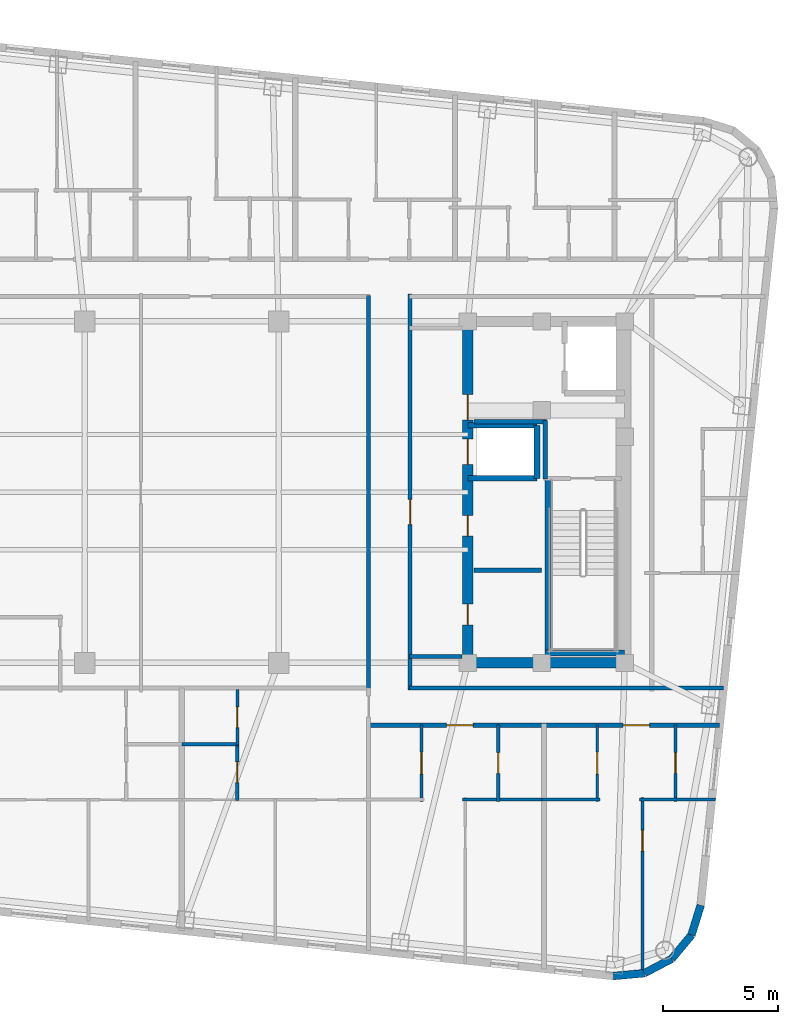
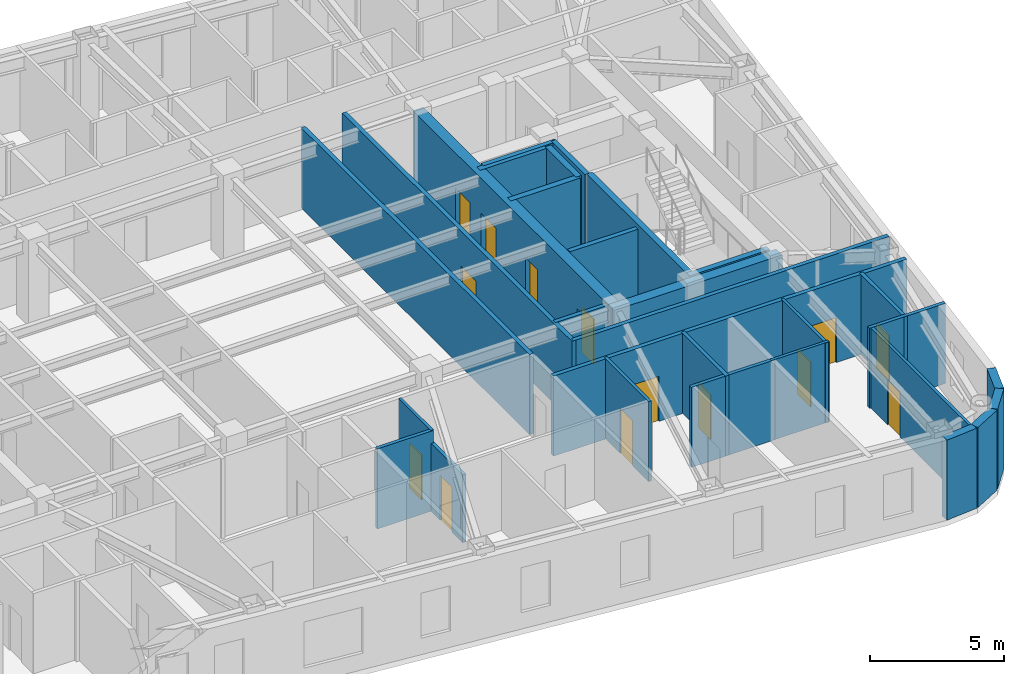
# One storey, part 6 of 11: 30 walls, 14 doors, 14 openings.
"""IFC4 building model written with IfcOpenShell, lengths in metres."""

from ifc_helpers import new_model, si_unit, direction, frame, frame_2d, origin, place, context, subcontext, project, spatial, rectangle, extrude, material, layer, layer_set, type_object, element, fill, save


model = new_model("IFC4")

# Units and contexts
model_context = context("Model", 3, precision=1e-05, world=origin(), true_north=direction((0.0, 1.0)))
body_context = subcontext(model_context, "Body", "Model", "MODEL_VIEW")
ifc_project = project(units=[si_unit("LENGTHUNIT", "METRE"), si_unit("AREAUNIT", "SQUARE_METRE"), si_unit("VOLUMEUNIT", "CUBIC_METRE"), si_unit("PLANEANGLEUNIT", "RADIAN"), si_unit("MASSUNIT", "GRAM", prefix="KILO")], contexts=[model_context])

# Site, building, storey
site_placement = place(None, origin())
site = spatial("IfcSite", under=ifc_project, at=site_placement, CompositionType="ELEMENT")
building_placement = place(site_placement, origin())
building = spatial("IfcBuilding", under=site, at=building_placement, Name="Voryun Gate Residences", CompositionType="ELEMENT")
storey_placement = place(building_placement, frame((0.0, 0.0, 271.699951171875)))
storey = spatial("IfcBuildingStorey", under=building, at=storey_placement, Name="L67", CompositionType="ELEMENT", Elevation=271.699951171875)

# Wall
ifc_material_1 = material(Name="Concrete C50/60", Category="concrete")
ifc_layer_1 = layer(ifc_material_1, 0.449951171875, Name="CW_CORE_450")
ifc_layer_set_1 = layer_set([ifc_layer_1], Name="Concrete C50/60")
wall_type_1 = type_object("IfcWallType", Name="CW_CORE_450", PredefinedType="SHEAR", material=ifc_layer_set_1)
wall_1_placement = place(storey_placement, frame((12.175048828125, -7.39990234375, 0.0), z_axis=(0.0, 0.0, 1.0), x_axis=(1.0, 0.0, 0.0)))
element("IfcWall", 1, at=wall_1_placement, inside=storey, type_object=wall_type_1, Name="L67 Core shear wall CW-L67-ES", PredefinedType="SHEAR", context=body_context, shape_type="SweptSolid", body=[
    extrude(rectangle(XDim=7.25, YDim=0.449951171875, at=frame_2d((3.625, 0.0))), origin(), (0.0, 0.0, 1.0), 3.650146484375),
])

# Wall, openings, doors
wall_2_placement = place(storey_placement, frame((12.39990234375, -7.39990234375, 0.0), z_axis=(0.0, 0.0, 1.0), x_axis=(0.0, 1.0, 0.0)))
wall_2 = element("IfcWall", 2, at=wall_2_placement, inside=storey, type_object=wall_type_1, Name="L67 Core shear wall CW-L67-EW", PredefinedType="SHEAR", context=body_context, shape_type="SweptSolid", body=[
    extrude(rectangle(XDim=14.7998046875, YDim=0.449951171875, at=frame_2d((7.39990234375, 0.0))), origin(), (0.0, 0.0, 1.0), 3.650146484375),
])
opening_1_placement = place(wall_2_placement, frame((8.60009765625, 0.0, 0.0)))
opening_1 = element("IfcOpeningElement", 3, at=opening_1_placement, cuts=wall_2, Name="Opening LD2", PredefinedType="OPENING", context=body_context, shape_type="SweptSolid", body=[
    extrude(rectangle(XDim=1.10009765625, YDim=2.050048828125, at=frame_2d((0.550048828125, 1.02490234375))), frame((0.0, 0.235107421875, 0.0), z_axis=(0.0, -1.0, 0.0), x_axis=(1.0, 0.0, 0.0)), (0.0, 0.0, 1.0), 0.469970703125),
])
opening_2_placement = place(wall_2_placement, frame((10.530029296875, 0.0, 0.0)))
opening_2 = element("IfcOpeningElement", 4, at=opening_2_placement, cuts=wall_2, Name="Opening D-FD60-2", PredefinedType="OPENING", context=body_context, shape_type="SweptSolid", body=[
    extrude(rectangle(XDim=1.10009765625, YDim=2.050048828125, at=frame_2d((0.550048828125, 1.02490234375))), frame((0.0, 0.235107421875, 0.0), z_axis=(0.0, -1.0, 0.0), x_axis=(1.0, 0.0, 0.0)), (0.0, 0.0, 1.0), 0.469970703125),
])
opening_3_placement = place(wall_2_placement, frame((1.64990234375, 0.0, 0.0)))
opening_3 = element("IfcOpeningElement", 5, at=opening_3_placement, cuts=wall_2, Name="Opening D-FD60-4", PredefinedType="OPENING", context=body_context, shape_type="SweptSolid", body=[
    extrude(rectangle(XDim=0.89990234375, YDim=2.050048828125, at=frame_2d((0.449951171875, 1.02490234375))), frame((0.0, 0.235107421875, 0.0), z_axis=(0.0, -1.0, 0.0), x_axis=(1.0, 0.0, 0.0)), (0.0, 0.0, 1.0), 0.469970703125),
])
opening_4_placement = place(wall_2_placement, frame((5.5, 0.0, 0.0)))
opening_4 = element("IfcOpeningElement", 6, at=opening_4_placement, cuts=wall_2, Name="Opening D-FD60-4", PredefinedType="OPENING", context=body_context, shape_type="SweptSolid", body=[
    extrude(rectangle(XDim=0.89990234375, YDim=2.050048828125, at=frame_2d((0.449951171875, 1.02490234375))), frame((0.0, 0.235107421875, 0.0), z_axis=(0.0, -1.0, 0.0), x_axis=(1.0, 0.0, 0.0)), (0.0, 0.0, 1.0), 0.469970703125),
])
ifc_material_2 = material(Name="Painted steel fire door", Category="steel")
door_type_1 = type_object("IfcDoorType", Name="DR_FD60_FFLOB_1100", OperationType="NOTDEFINED", PredefinedType="DOOR", material=ifc_material_2)
door_1_placement = place(opening_2_placement, origin())
door_1 = element("IfcDoor", 7, at=door_1_placement, inside=storey, type_object=door_type_1, Name="Door DR-L67-CLOB-E", OperationType="SINGLE_SWING_RIGHT", OverallHeight=2.050048828125, OverallWidth=1.10009765625, PredefinedType="DOOR", context=body_context, shape_type="SweptSolid", body=[
    extrude(rectangle(XDim=1.10009765625, YDim=2.050048828125, at=frame_2d((0.550048828125, 1.02490234375))), frame((0.0, 0.02490234375, 0.0), z_axis=(0.0, -1.0, 0.0), x_axis=(1.0, 0.0, 0.0)), (0.0, 0.0, 1.0), 0.050048828125),
])
fill(opening_2, door_1)
ifc_material_3 = material(Name="Painted steel fire door", Category="steel")
door_type_2 = type_object("IfcDoorType", Name="DR_FD60_RISER_900", OperationType="NOTDEFINED", PredefinedType="DOOR", material=ifc_material_3)
door_2_placement = place(opening_3_placement, origin())
door_2 = element("IfcDoor", 8, at=door_2_placement, inside=storey, type_object=door_type_2, Name="Door DR-L67-RECE-HIS", OperationType="SINGLE_SWING_RIGHT", OverallHeight=2.050048828125, OverallWidth=0.89990234375, PredefinedType="DOOR", context=body_context, shape_type="SweptSolid", body=[
    extrude(rectangle(XDim=0.89990234375, YDim=2.050048828125, at=frame_2d((0.449951171875, 1.02490234375))), frame((0.0, 0.02490234375, 0.0), z_axis=(0.0, -1.0, 0.0), x_axis=(1.0, 0.0, 0.0)), (0.0, 0.0, 1.0), 0.050048828125),
])
fill(opening_3, door_2)
door_3_placement = place(opening_4_placement, origin())
door_3 = element("IfcDoor", 9, at=door_3_placement, inside=storey, type_object=door_type_2, Name="Door DR-L67-RECE-HIN", OperationType="SINGLE_SWING_LEFT", OverallHeight=2.050048828125, OverallWidth=0.89990234375, PredefinedType="DOOR", context=body_context, shape_type="SweptSolid", body=[
    extrude(rectangle(XDim=0.89990234375, YDim=2.050048828125, at=frame_2d((0.449951171875, 1.02490234375))), frame((0.0, 0.02490234375, 0.0), z_axis=(0.0, -1.0, 0.0), x_axis=(1.0, 0.0, 0.0)), (0.0, 0.0, 1.0), 0.050048828125),
])
fill(opening_4, door_3)
ifc_material_4 = material(Name="Anodised aluminium", Category="aluminium")
door_type_3 = type_object("IfcDoorType", Name="DR_LD_PASS_1100", OperationType="NOTDEFINED", PredefinedType="DOOR", material=ifc_material_4)
door_4_placement = place(opening_1_placement, origin())
door_4 = element("IfcDoor", 10, at=door_4_placement, inside=storey, type_object=door_type_3, Name="Lift EL-P8 sliding landing door L67", OperationType="SLIDING_TO_LEFT", OverallHeight=2.050048828125, OverallWidth=1.10009765625, PredefinedType="DOOR", context=body_context, shape_type="SweptSolid", body=[
    extrude(rectangle(XDim=1.10009765625, YDim=2.050048828125, at=frame_2d((0.550048828125, 1.02490234375))), frame((0.0, 0.02490234375, 0.0), z_axis=(0.0, -1.0, 0.0), x_axis=(1.0, 0.0, 0.0)), (0.0, 0.0, 1.0), 0.050048828125),
])
fill(opening_1, door_4)

# Wall
ifc_material_5 = material(Name="Gypsum acoustic fireboard")
ifc_layer_2 = layer(ifc_material_5, 0.179931640625, Name="W_CORR_RATED_180")
ifc_layer_set_2 = layer_set([ifc_layer_2], Name="Gypsum acoustic fireboard")
wall_type_2 = type_object("IfcWallType", Name="W_CORR_RATED_180", PredefinedType="PARTITIONING", material=ifc_layer_set_2)
wall_3_placement = place(storey_placement, frame((9.8798828125, -7.1201171875, 0.0), z_axis=(0.0, 0.0, 1.0), x_axis=(1.0, 0.0, 0.0)))
element("IfcWall", 11, at=wall_3_placement, inside=storey, type_object=wall_type_2, Name="Partition wall WP-L67-PLBS-E", PredefinedType="PARTITIONING", context=body_context, shape_type="SweptSolid", body=[
    extrude(rectangle(XDim=2.27001953125, YDim=0.179931640625, at=frame_2d((1.135009765625, 0.0))), origin(), (0.0, 0.0, 1.0), 3.650146484375),
])

# Wall, opening, door
wall_4_placement = place(storey_placement, frame((9.89990234375, -8.580078125, 0.0), z_axis=(0.0, 0.0, 1.0), x_axis=(0.0, 1.0, 0.0)))
wall_4 = element("IfcWall", 12, at=wall_4_placement, inside=storey, type_object=wall_type_2, Name="Partition wall WP-L67-PLBE-FULL", PredefinedType="PARTITIONING", context=body_context, shape_type="SweptSolid", body=[
    extrude(rectangle(XDim=17.16015625, YDim=0.179931640625, at=frame_2d((8.580078125, 0.0))), origin(), (0.0, 0.0, 1.0), 3.650146484375),
])
opening_5_placement = place(wall_4_placement, frame((7.172119140625, 0.0, 0.0)))
opening_5 = element("IfcOpeningElement", 13, at=opening_5_placement, cuts=wall_4, Name="Opening D-FD60-2", PredefinedType="OPENING", context=body_context, shape_type="SweptSolid", body=[
    extrude(rectangle(XDim=1.10009765625, YDim=2.050048828125, at=frame_2d((0.550048828125, 1.02490234375))), frame((0.0, 0.099853515625, 0.0), z_axis=(0.0, -1.0, 0.0), x_axis=(1.0, 0.0, 0.0)), (0.0, 0.0, 1.0), 0.199951171875),
])
door_5_placement = place(opening_5_placement, origin())
door_5 = element("IfcDoor", 14, at=door_5_placement, inside=storey, type_object=door_type_1, Name="Door DR-L67-PLBE-COR", OperationType="SINGLE_SWING_RIGHT", OverallHeight=2.050048828125, OverallWidth=1.10009765625, PredefinedType="DOOR", context=body_context, shape_type="SweptSolid", body=[
    extrude(rectangle(XDim=1.10009765625, YDim=2.050048828125, at=frame_2d((0.550048828125, 1.02490234375))), frame((0.0, 0.02490234375, 0.0), z_axis=(0.0, -1.0, 0.0), x_axis=(1.0, 0.0, 0.0)), (0.0, 0.0, 1.0), 0.050048828125),
])
fill(opening_5, door_5)

# Walls
wall_5_placement = place(storey_placement, frame((9.8798828125, -8.489990234375, 0.0), z_axis=(0.0, 0.0, 1.0), x_axis=(1.0, 0.0, 0.0)))
element("IfcWall", 15, at=wall_5_placement, inside=storey, type_object=wall_type_2, Name="Partition wall WP-L67-CWING-ES", PredefinedType="PARTITIONING", context=body_context, shape_type="SweptSolid", body=[
    extrude(rectangle(XDim=13.605712890625, YDim=0.179931640625, at=frame_2d((6.802734375, 0.0))), origin(), (0.0, 0.0, 1.0), 3.650146484375),
])
wall_6_placement = place(storey_placement, frame((8.10009765625, -8.530029296875, 0.0), z_axis=(0.0, 0.0, 1.0), x_axis=(0.0, 1.0, 0.0)))
element("IfcWall", 16, at=wall_6_placement, inside=storey, type_object=wall_type_2, Name="Partition wall WP-L67-Z3E", PredefinedType="PARTITIONING", context=body_context, shape_type="SweptSolid", body=[
    extrude(rectangle(XDim=17.06005859375, YDim=0.179931640625, at=frame_2d((8.530029296875, 0.0))), origin(), (0.0, 0.0, 1.0), 3.650146484375),
])

# Wall, openings, doors
wall_7_placement = place(storey_placement, frame((8.080078125, -10.10009765625, 0.0), z_axis=(0.0, 0.0, 1.0), x_axis=(1.0, 0.0, 0.0)))
wall_7 = element("IfcWall", 17, at=wall_7_placement, inside=storey, type_object=wall_type_2, Name="Partition wall WP-L67-SCORR-E", PredefinedType="PARTITIONING", context=body_context, shape_type="SweptSolid", body=[
    extrude(rectangle(XDim=15.236083984375, YDim=0.179931640625, at=frame_2d((7.6181640625, 0.0))), origin(), (0.0, 0.0, 1.0), 3.650146484375),
])
opening_6_placement = place(wall_7_placement, frame((3.400146484375, 0.0, 0.0)))
opening_6 = element("IfcOpeningElement", 18, at=opening_6_placement, cuts=wall_7, Name="Opening D-UNIT-1", PredefinedType="OPENING", context=body_context, shape_type="SweptSolid", body=[
    extrude(rectangle(XDim=1.14990234375, YDim=2.050048828125, at=frame_2d((0.574951171875, 1.02490234375))), frame((0.0, 0.099853515625, 0.0), z_axis=(0.0, -1.0, 0.0), x_axis=(1.0, 0.0, 0.0)), (0.0, 0.0, 1.0), 0.199951171875),
])
opening_7_placement = place(wall_7_placement, frame((11.05029296875, 0.0, 0.0)))
opening_7 = element("IfcOpeningElement", 19, at=opening_7_placement, cuts=wall_7, Name="Opening D-UNIT-1", PredefinedType="OPENING", context=body_context, shape_type="SweptSolid", body=[
    extrude(rectangle(XDim=1.14990234375, YDim=2.050048828125, at=frame_2d((0.574951171875, 1.02490234375))), frame((0.0, 0.099853515625, 0.0), z_axis=(0.0, -1.0, 0.0), x_axis=(1.0, 0.0, 0.0)), (0.0, 0.0, 1.0), 0.199951171875),
])
ifc_material_6 = material(Name="Armoured timber-clad fire door", Category="wood")
door_type_4 = type_object("IfcDoorType", Name="DR_UNIT_ENTRY_1150", OperationType="NOTDEFINED", PredefinedType="DOOR", material=ifc_material_6)
door_6_placement = place(opening_6_placement, origin())
door_6 = element("IfcDoor", 20, at=door_6_placement, inside=storey, type_object=door_type_4, Name="Door DR-L67-SENT-6", OperationType="SINGLE_SWING_LEFT", OverallHeight=2.050048828125, OverallWidth=1.14990234375, PredefinedType="DOOR", context=body_context, shape_type="SweptSolid", body=[
    extrude(rectangle(XDim=1.14990234375, YDim=2.050048828125, at=frame_2d((0.574951171875, 1.02490234375))), frame((0.0, 0.02490234375, 0.0), z_axis=(0.0, -1.0, 0.0), x_axis=(1.0, 0.0, 0.0)), (0.0, 0.0, 1.0), 0.050048828125),
])
fill(opening_6, door_6)
door_7_placement = place(opening_7_placement, origin())
door_7 = element("IfcDoor", 21, at=door_7_placement, inside=storey, type_object=door_type_4, Name="Door DR-L67-SENT-7", OperationType="SINGLE_SWING_RIGHT", OverallHeight=2.050048828125, OverallWidth=1.14990234375, PredefinedType="DOOR", context=body_context, shape_type="SweptSolid", body=[
    extrude(rectangle(XDim=1.14990234375, YDim=2.050048828125, at=frame_2d((0.574951171875, 1.02490234375))), frame((0.0, 0.02490234375, 0.0), z_axis=(0.0, -1.0, 0.0), x_axis=(1.0, 0.0, 0.0)), (0.0, 0.0, 1.0), 0.050048828125),
])
fill(opening_7, door_7)

# Walls
ifc_material_7 = material(Name="Charcoal terracotta masonry", Category="masonry")
ifc_layer_3 = layer(ifc_material_7, 0.340087890625, Name="W_EXT_TERRACOTTA_340")
ifc_layer_set_3 = layer_set([ifc_layer_3], Name="Charcoal terracotta masonry")
wall_type_3 = type_object("IfcWallType", Name="W_EXT_TERRACOTTA_340", PredefinedType="ELEMENTEDWALL", material=ifc_layer_set_3)
wall_8_placement = place(storey_placement, frame((22.495849609375, -17.904541015625, 0.0), z_axis=(0.0, 0.0, 1.0), x_axis=(-0.296416228123, -0.955058856671, 0.0)))
element("IfcWall", 22, at=wall_8_placement, inside=storey, type_object=wall_type_3, Name="Exterior wall WEXT-L67-17", PredefinedType="ELEMENTEDWALL", context=body_context, shape_type="SweptSolid", body=[
    extrude(rectangle(XDim=1.35400390625, YDim=0.340087890625, at=frame_2d((0.677001953125, 0.0))), origin(), (0.0, 0.0, 1.0), 3.650146484375),
])
wall_9_placement = place(storey_placement, frame((22.094482421875, -19.19775390625, 0.0), z_axis=(0.0, 0.0, 1.0), x_axis=(-0.639501603217, -0.768789762863, 0.0)))
element("IfcWall", 23, at=wall_9_placement, inside=storey, type_object=wall_type_3, Name="Exterior wall WEXT-L67-18", PredefinedType="ELEMENTEDWALL", context=body_context, shape_type="SweptSolid", body=[
    extrude(rectangle(XDim=1.3369140625, YDim=0.340087890625, at=frame_2d((0.66845703125, 0.0))), origin(), (0.0, 0.0, 1.0), 3.650146484375),
])
wall_10_placement = place(storey_placement, frame((21.239501953125, -20.2255859375, 0.0), z_axis=(0.0, 0.0, 1.0), x_axis=(-0.884922182678, -0.465738908193, 0.0)))
element("IfcWall", 24, at=wall_10_placement, inside=storey, type_object=wall_type_3, Name="Exterior wall WEXT-L67-19", PredefinedType="ELEMENTEDWALL", context=body_context, shape_type="SweptSolid", body=[
    extrude(rectangle(XDim=1.337158203125, YDim=0.340087890625, at=frame_2d((0.66845703125, 0.0))), origin(), (0.0, 0.0, 1.0), 3.650146484375),
])
wall_11_placement = place(storey_placement, frame((20.05615234375, -20.848388671875, 0.0), z_axis=(0.0, 0.0, 1.0), x_axis=(-0.995813013343, -0.091413579172, 0.0)))
element("IfcWall", 25, at=wall_11_placement, inside=storey, type_object=wall_type_3, Name="Exterior wall WEXT-L67-20", PredefinedType="ELEMENTEDWALL", context=body_context, shape_type="SweptSolid", body=[
    extrude(rectangle(XDim=1.35400390625, YDim=0.340087890625, at=frame_2d((0.677001953125, 0.0))), origin(), (0.0, 0.0, 1.0), 3.650146484375),
])
ifc_material_8 = material(Name="Concrete C40/50", Category="concrete")
ifc_layer_4 = layer(ifc_material_8, 0.199951171875, Name="W_FF_LOBBY_200")
ifc_layer_set_4 = layer_set([ifc_layer_4], Name="Concrete C40/50")
wall_type_4 = type_object("IfcWallType", Name="W_FF_LOBBY_200", PredefinedType="PARTITIONING", material=ifc_layer_set_4)
wall_12_placement = place(storey_placement, frame((15.760009765625, 0.580078125, 0.0), z_axis=(0.0, 0.0, 1.0), x_axis=(0.0, 1.0, 0.0)))
element("IfcWall", 26, at=wall_12_placement, inside=storey, type_object=wall_type_4, Name="Partition wall WP-L67-FFP0-E", PredefinedType="PARTITIONING", context=body_context, shape_type="SweptSolid", body=[
    extrude(rectangle(XDim=2.52001953125, YDim=0.199951171875, at=frame_2d((1.260009765625, 0.0))), origin(), (0.0, 0.0, 1.0), 3.650146484375),
])
wall_13_placement = place(storey_placement, frame((12.659912109375, 3.06005859375, 0.0), z_axis=(0.0, 0.0, 1.0), x_axis=(1.0, 0.0, 0.0)))
element("IfcWall", 27, at=wall_13_placement, inside=storey, type_object=wall_type_4, Name="Partition wall WP-L67-FFPS-E", PredefinedType="PARTITIONING", context=body_context, shape_type="SweptSolid", body=[
    extrude(rectangle(XDim=3.16015625, YDim=0.199951171875, at=frame_2d((1.580078125, 0.0))), origin(), (0.0, 0.0, 1.0), 3.650146484375),
])
wall_14_placement = place(storey_placement, frame((12.659912109375, -3.389892578125, 0.0), z_axis=(0.0, 0.0, 1.0), x_axis=(1.0, 0.0, 0.0)))
element("IfcWall", 28, at=wall_14_placement, inside=storey, type_object=wall_type_4, Name="Partition wall WP-L67-RECEY-HI", PredefinedType="PARTITIONING", context=body_context, shape_type="SweptSolid", body=[
    extrude(rectangle(XDim=2.940185546875, YDim=0.199951171875, at=frame_2d((1.47021484375, 0.0))), origin(), (0.0, 0.0, 1.0), 3.650146484375),
])
ifc_material_9 = material(Name="Concrete C50/60", Category="concrete")
ifc_layer_5 = layer(ifc_material_9, 0.25, Name="W_SHAFT_RC250")
ifc_layer_set_5 = layer_set([ifc_layer_5], Name="Concrete C50/60")
wall_type_5 = type_object("IfcWallType", Name="W_SHAFT_RC250", PredefinedType="SOLIDWALL", material=ifc_layer_set_5)
wall_15_placement = place(storey_placement, frame((15.860107421875, -7.0849609375, 0.0), z_axis=(0.0, 0.0, 1.0), x_axis=(0.0, 1.0, 0.0)))
element("IfcWall", 29, at=wall_15_placement, inside=storey, type_object=wall_type_5, Name="L67 Stair shaft structural wall E-STL", PredefinedType="SOLIDWALL", context=body_context, shape_type="SweptSolid", body=[
    extrude(rectangle(XDim=7.68505859375, YDim=0.25, at=frame_2d((3.842529296875, 0.0))), origin(), (0.0, 0.0, 1.0), 3.650146484375),
])
wall_16_placement = place(storey_placement, frame((15.739990234375, -6.965087890625, 0.0), z_axis=(0.0, 0.0, 1.0), x_axis=(1.0, 0.0, 0.0)))
element("IfcWall", 30, at=wall_16_placement, inside=storey, type_object=wall_type_5, Name="L67 Stair shaft structural wall E-STS", PredefinedType="SOLIDWALL", context=body_context, shape_type="SweptSolid", body=[
    extrude(rectangle(XDim=3.4599609375, YDim=0.25, at=frame_2d((1.72998046875, 0.0))), origin(), (0.0, 0.0, 1.0), 3.650146484375),
])
wall_17_placement = place(storey_placement, frame((12.39990234375, 0.60009765625, 0.0), z_axis=(0.0, 0.0, 1.0), x_axis=(1.0, 0.0, 0.0)))
element("IfcWall", 31, at=wall_17_placement, inside=storey, type_object=wall_type_5, Name="Lift shaft wall WSH-L67-EL-P8-S", PredefinedType="SOLIDWALL", context=body_context, shape_type="SweptSolid", body=[
    extrude(rectangle(XDim=3.0, YDim=0.25, at=frame_2d((1.5, 0.0))), origin(), (0.0, 0.0, 1.0), 3.650146484375),
])
wall_18_placement = place(storey_placement, frame((15.39990234375, 0.60009765625, 0.0), z_axis=(0.0, 0.0, 1.0), x_axis=(0.0, 1.0, 0.0)))
element("IfcWall", 32, at=wall_18_placement, inside=storey, type_object=wall_type_5, Name="Lift shaft wall WSH-L67-EL-P8-E", PredefinedType="SOLIDWALL", context=body_context, shape_type="SweptSolid", body=[
    extrude(rectangle(XDim=2.2998046875, YDim=0.25, at=frame_2d((1.14990234375, 0.0))), origin(), (0.0, 0.0, 1.0), 3.650146484375),
])
wall_19_placement = place(storey_placement, frame((15.39990234375, 2.89990234375, 0.0), z_axis=(0.0, 0.0, 1.0), x_axis=(-1.0, 0.0, 0.0)))
element("IfcWall", 33, at=wall_19_placement, inside=storey, type_object=wall_type_5, Name="Lift shaft wall WSH-L67-EL-P8-N", PredefinedType="SOLIDWALL", context=body_context, shape_type="SweptSolid", body=[
    extrude(rectangle(XDim=3.0, YDim=0.25, at=frame_2d((1.5, 0.0))), origin(), (0.0, 0.0, 1.0), 3.650146484375),
])

# Wall, opening, door
ifc_material_10 = material(Name="Gypsum acoustic partition")
ifc_layer_6 = layer(ifc_material_10, 0.125, Name="W_UNIT_PART_125")
ifc_layer_set_6 = layer_set([ifc_layer_6], Name="Gypsum acoustic partition")
wall_type_6 = type_object("IfcWallType", Name="W_UNIT_PART_125", PredefinedType="PARTITIONING", material=ifc_layer_set_6)
wall_20_placement = place(storey_placement, frame((10.389892578125, -13.39990234375, 0.0), z_axis=(0.0, 0.0, 1.0), x_axis=(0.0, 1.0, 0.0)))
wall_20 = element("IfcWall", 34, at=wall_20_placement, inside=storey, type_object=wall_type_6, Name="Partition wall WP-L67-S6-IVK", PredefinedType="PARTITIONING", context=body_context, shape_type="SweptSolid", body=[
    extrude(rectangle(XDim=3.31982421875, YDim=0.125, at=frame_2d((1.659912109375, 0.0))), origin(), (0.0, 0.0, 1.0), 3.650146484375),
])
opening_8_placement = place(wall_20_placement, frame((1.18505859375, 0.0, 0.0)))
opening_8 = element("IfcOpeningElement", 35, at=opening_8_placement, cuts=wall_20, Name="Opening D-INT-1", PredefinedType="OPENING", context=body_context, shape_type="SweptSolid", body=[
    extrude(rectangle(XDim=0.949951171875, YDim=2.050048828125, at=frame_2d((0.47509765625, 1.02490234375))), frame((0.0, 0.072509765625, 0.0), z_axis=(0.0, -1.0, 0.0), x_axis=(1.0, 0.0, 0.0)), (0.0, 0.0, 1.0), 0.14501953125),
])
ifc_material_11 = material(Name="Architectural oak veneer")
door_type_5 = type_object("IfcDoorType", Name="DR_INT_ROOM_950", OperationType="NOTDEFINED", PredefinedType="DOOR", material=ifc_material_11)
door_8_placement = place(opening_8_placement, origin())
door_8 = element("IfcDoor", 36, at=door_8_placement, inside=storey, type_object=door_type_5, Name="Door DR-L67-S6-DK", OperationType="SINGLE_SWING_LEFT", OverallHeight=2.050048828125, OverallWidth=0.949951171875, PredefinedType="DOOR", context=body_context, shape_type="SweptSolid", body=[
    extrude(rectangle(XDim=0.949951171875, YDim=2.050048828125, at=frame_2d((0.47509765625, 1.02490234375))), frame((0.0, 0.02490234375, 0.0), z_axis=(0.0, -1.0, 0.0), x_axis=(1.0, 0.0, 0.0)), (0.0, 0.0, 1.0), 0.050048828125),
])
fill(opening_8, door_8)

wall_21_placement = place(storey_placement, frame((19.970947265625, -21.006591796875, 0.0), z_axis=(0.0, 0.0, 1.0), x_axis=(0.0, 1.0, 0.0)))
wall_21 = element("IfcWall", 37, at=wall_21_placement, inside=storey, type_object=wall_type_6, Name="Partition wall WP-L67-S7-OVR", PredefinedType="PARTITIONING", context=body_context, shape_type="SweptSolid", body=[
    extrude(rectangle(XDim=7.7666015625, YDim=0.125, at=frame_2d((3.88330078125, 0.0))), origin(), (0.0, 0.0, 1.0), 3.650146484375),
])
opening_9_placement = place(wall_21_placement, frame((5.45263671875, 0.0, 0.0)))
opening_9 = element("IfcOpeningElement", 38, at=opening_9_placement, cuts=wall_21, Name="Opening D-INT-2", PredefinedType="OPENING", context=body_context, shape_type="SweptSolid", body=[
    extrude(rectangle(XDim=0.89990234375, YDim=2.050048828125, at=frame_2d((0.449951171875, 1.02490234375))), frame((0.0, 0.072509765625, 0.0), z_axis=(0.0, -1.0, 0.0), x_axis=(1.0, 0.0, 0.0)), (0.0, 0.0, 1.0), 0.14501953125),
])
ifc_material_12 = material(Name="Architectural oak veneer")
door_type_6 = type_object("IfcDoorType", Name="DR_INT_BATH_900", OperationType="NOTDEFINED", PredefinedType="DOOR", material=ifc_material_12)
door_9_placement = place(opening_9_placement, origin())
door_9 = element("IfcDoor", 39, at=door_9_placement, inside=storey, type_object=door_type_6, Name="Door DR-L67-S7-DMB", OperationType="SINGLE_SWING_RIGHT", OverallHeight=2.050048828125, OverallWidth=0.89990234375, PredefinedType="DOOR", context=body_context, shape_type="SweptSolid", body=[
    extrude(rectangle(XDim=0.89990234375, YDim=2.050048828125, at=frame_2d((0.449951171875, 1.02490234375))), frame((0.0, 0.02490234375, 0.0), z_axis=(0.0, -1.0, 0.0), x_axis=(1.0, 0.0, 0.0)), (0.0, 0.0, 1.0), 0.050048828125),
])
fill(opening_9, door_9)

wall_22_placement = place(storey_placement, frame((18.010009765625, -13.39990234375, 0.0), z_axis=(0.0, 0.0, 1.0), x_axis=(0.0, 1.0, 0.0)))
wall_22 = element("IfcWall", 40, at=wall_22_placement, inside=storey, type_object=wall_type_6, Name="Partition wall WP-L67-S7-IVK", PredefinedType="PARTITIONING", context=body_context, shape_type="SweptSolid", body=[
    extrude(rectangle(XDim=3.31982421875, YDim=0.125, at=frame_2d((1.659912109375, 0.0))), origin(), (0.0, 0.0, 1.0), 3.650146484375),
])
opening_10_placement = place(wall_22_placement, frame((1.18505859375, 0.0, 0.0)))
opening_10 = element("IfcOpeningElement", 41, at=opening_10_placement, cuts=wall_22, Name="Opening D-INT-1", PredefinedType="OPENING", context=body_context, shape_type="SweptSolid", body=[
    extrude(rectangle(XDim=0.949951171875, YDim=2.050048828125, at=frame_2d((0.47509765625, 1.02490234375))), frame((0.0, 0.072509765625, 0.0), z_axis=(0.0, -1.0, 0.0), x_axis=(1.0, 0.0, 0.0)), (0.0, 0.0, 1.0), 0.14501953125),
])
door_10_placement = place(opening_10_placement, origin())
door_10 = element("IfcDoor", 42, at=door_10_placement, inside=storey, type_object=door_type_5, Name="Door DR-L67-S7-DK", OperationType="SINGLE_SWING_LEFT", OverallHeight=2.050048828125, OverallWidth=0.949951171875, PredefinedType="DOOR", context=body_context, shape_type="SweptSolid", body=[
    extrude(rectangle(XDim=0.949951171875, YDim=2.050048828125, at=frame_2d((0.47509765625, 1.02490234375))), frame((0.0, 0.02490234375, 0.0), z_axis=(0.0, -1.0, 0.0), x_axis=(1.0, 0.0, 0.0)), (0.0, 0.0, 1.0), 0.050048828125),
])
fill(opening_10, door_10)

# Wall
wall_23_placement = place(storey_placement, frame((15.625, -13.320068359375, 0.0), z_axis=(0.0, 0.0, 1.0), x_axis=(1.0, 0.0, 0.0)))
element("IfcWall", 43, at=wall_23_placement, inside=storey, type_object=wall_type_6, Name="Partition wall WP-L67-S7-HZK", PredefinedType="PARTITIONING", context=body_context, shape_type="SweptSolid", body=[
    extrude(rectangle(XDim=2.5048828125, YDim=0.125, at=frame_2d((1.25244140625, 0.0))), origin(), (0.0, 0.0, 1.0), 3.650146484375),
])

# Wall, opening, door
wall_24_placement = place(storey_placement, frame((2.409912109375, -10.9599609375, 0.0), z_axis=(0.0, 0.0, 1.0), x_axis=(0.0, 1.0, 0.0)))
wall_24 = element("IfcWall", 44, at=wall_24_placement, inside=storey, type_object=wall_type_6, Name="Partition wall WP-L67-SC2-VK1", PredefinedType="PARTITIONING", context=body_context, shape_type="SweptSolid", body=[
    extrude(rectangle(XDim=2.409912109375, YDim=0.125, at=frame_2d((1.205078125, 0.0))), origin(), (0.0, 0.0, 1.0), 3.650146484375),
])
opening_11_placement = place(wall_24_placement, frame((0.7548828125, 0.0, 0.0)))
opening_11 = element("IfcOpeningElement", 45, at=opening_11_placement, cuts=wall_24, Name="Opening D-INT-2", PredefinedType="OPENING", context=body_context, shape_type="SweptSolid", body=[
    extrude(rectangle(XDim=0.89990234375, YDim=2.050048828125, at=frame_2d((0.449951171875, 1.02490234375))), frame((0.0, 0.072509765625, 0.0), z_axis=(0.0, -1.0, 0.0), x_axis=(1.0, 0.0, 0.0)), (0.0, 0.0, 1.0), 0.14501953125),
])
door_11_placement = place(opening_11_placement, origin())
door_11 = element("IfcDoor", 46, at=door_11_placement, inside=storey, type_object=door_type_6, Name="Door DR-L67-SC2-DK", OperationType="SINGLE_SWING_LEFT", OverallHeight=2.050048828125, OverallWidth=0.89990234375, PredefinedType="DOOR", context=body_context, shape_type="SweptSolid", body=[
    extrude(rectangle(XDim=0.89990234375, YDim=2.050048828125, at=frame_2d((0.449951171875, 1.02490234375))), frame((0.0, 0.02490234375, 0.0), z_axis=(0.0, -1.0, 0.0), x_axis=(1.0, 0.0, 0.0)), (0.0, 0.0, 1.0), 0.050048828125),
])
fill(opening_11, door_11)

# Wall
ifc_material_13 = material(Name="Gypsum moisture-resistant partition")
ifc_layer_7 = layer(ifc_material_13, 0.14990234375, Name="W_WET_PLUMB_150")
ifc_layer_set_7 = layer_set([ifc_layer_7], Name="Gypsum moisture-resistant partition")
wall_type_7 = type_object("IfcWallType", Name="W_WET_PLUMB_150", PredefinedType="PLUMBINGWALL", material=ifc_layer_set_7)
wall_25_placement = place(storey_placement, frame((12.169921875, -13.320068359375, 0.0), z_axis=(0.0, 0.0, 1.0), x_axis=(1.0, 0.0, 0.0)))
element("IfcWall", 47, at=wall_25_placement, inside=storey, type_object=wall_type_7, Name="Partition wall WP-L67-S6-HZB", PredefinedType="PLUMBINGWALL", context=body_context, shape_type="SweptSolid", body=[
    extrude(rectangle(XDim=3.60498046875, YDim=0.14990234375, at=frame_2d((1.802490234375, 0.0))), origin(), (0.0, 0.0, 1.0), 3.650146484375),
])

# Wall, opening, door
wall_26_placement = place(storey_placement, frame((13.719970703125, -13.39990234375, 0.0), z_axis=(0.0, 0.0, 1.0), x_axis=(0.0, 1.0, 0.0)))
wall_26 = element("IfcWall", 48, at=wall_26_placement, inside=storey, type_object=wall_type_7, Name="Partition wall WP-L67-S6-IVB", PredefinedType="PLUMBINGWALL", context=body_context, shape_type="SweptSolid", body=[
    extrude(rectangle(XDim=3.31982421875, YDim=0.14990234375, at=frame_2d((1.659912109375, 0.0))), origin(), (0.0, 0.0, 1.0), 3.650146484375),
])
opening_12_placement = place(wall_26_placement, frame((1.2099609375, 0.0, 0.0)))
opening_12 = element("IfcOpeningElement", 49, at=opening_12_placement, cuts=wall_26, Name="Opening D-INT-2", PredefinedType="OPENING", context=body_context, shape_type="SweptSolid", body=[
    extrude(rectangle(XDim=0.89990234375, YDim=2.050048828125, at=frame_2d((0.449951171875, 1.02490234375))), frame((0.0, 0.0849609375, 0.0), z_axis=(0.0, -1.0, 0.0), x_axis=(1.0, 0.0, 0.0)), (0.0, 0.0, 1.0), 0.169921875),
])
door_12_placement = place(opening_12_placement, origin())
door_12 = element("IfcDoor", 50, at=door_12_placement, inside=storey, type_object=door_type_6, Name="Door DR-L67-S6-DB", OperationType="SINGLE_SWING_RIGHT", OverallHeight=2.050048828125, OverallWidth=0.89990234375, PredefinedType="DOOR", context=body_context, shape_type="SweptSolid", body=[
    extrude(rectangle(XDim=0.89990234375, YDim=2.050048828125, at=frame_2d((0.449951171875, 1.02490234375))), frame((0.0, 0.02490234375, 0.0), z_axis=(0.0, -1.0, 0.0), x_axis=(1.0, 0.0, 0.0)), (0.0, 0.0, 1.0), 0.050048828125),
])
fill(opening_12, door_12)

# Wall
wall_27_placement = place(storey_placement, frame((19.85107421875, -13.320068359375, 0.0), z_axis=(0.0, 0.0, 1.0), x_axis=(1.0, 0.0, 0.0)))
element("IfcWall", 51, at=wall_27_placement, inside=storey, type_object=wall_type_7, Name="Partition wall WP-L67-S7-HZB", PredefinedType="PLUMBINGWALL", context=body_context, shape_type="SweptSolid", body=[
    extrude(rectangle(XDim=3.277587890625, YDim=0.14990234375, at=frame_2d((1.638671875, 0.0))), origin(), (0.0, 0.0, 1.0), 3.650146484375),
])

# Wall, opening, door
wall_28_placement = place(storey_placement, frame((21.40087890625, -13.39990234375, 0.0), z_axis=(0.0, 0.0, 1.0), x_axis=(0.0, 1.0, 0.0)))
wall_28 = element("IfcWall", 52, at=wall_28_placement, inside=storey, type_object=wall_type_7, Name="Partition wall WP-L67-S7-IVB", PredefinedType="PLUMBINGWALL", context=body_context, shape_type="SweptSolid", body=[
    extrude(rectangle(XDim=3.31982421875, YDim=0.14990234375, at=frame_2d((1.659912109375, 0.0))), origin(), (0.0, 0.0, 1.0), 3.650146484375),
])
opening_13_placement = place(wall_28_placement, frame((1.2099609375, 0.0, 0.0)))
opening_13 = element("IfcOpeningElement", 53, at=opening_13_placement, cuts=wall_28, Name="Opening D-INT-2", PredefinedType="OPENING", context=body_context, shape_type="SweptSolid", body=[
    extrude(rectangle(XDim=0.89990234375, YDim=2.050048828125, at=frame_2d((0.449951171875, 1.02490234375))), frame((0.0, 0.0849609375, 0.0), z_axis=(0.0, -1.0, 0.0), x_axis=(1.0, 0.0, 0.0)), (0.0, 0.0, 1.0), 0.169921875),
])
door_13_placement = place(opening_13_placement, origin())
door_13 = element("IfcDoor", 54, at=door_13_placement, inside=storey, type_object=door_type_6, Name="Door DR-L67-S7-DB", OperationType="SINGLE_SWING_RIGHT", OverallHeight=2.050048828125, OverallWidth=0.89990234375, PredefinedType="DOOR", context=body_context, shape_type="SweptSolid", body=[
    extrude(rectangle(XDim=0.89990234375, YDim=2.050048828125, at=frame_2d((0.449951171875, 1.02490234375))), frame((0.0, 0.02490234375, 0.0), z_axis=(0.0, -1.0, 0.0), x_axis=(1.0, 0.0, 0.0)), (0.0, 0.0, 1.0), 0.050048828125),
])
fill(opening_13, door_13)

wall_29_placement = place(storey_placement, frame((2.409912109375, -13.3701171875, 0.0), z_axis=(0.0, 0.0, 1.0), x_axis=(0.0, 1.0, 0.0)))
wall_29 = element("IfcWall", 55, at=wall_29_placement, inside=storey, type_object=wall_type_7, Name="Partition wall WP-L67-SC2-VK2", PredefinedType="PLUMBINGWALL", context=body_context, shape_type="SweptSolid", body=[
    extrude(rectangle(XDim=2.47021484375, YDim=0.14990234375, at=frame_2d((1.235107421875, 0.0))), origin(), (0.0, 0.0, 1.0), 3.090087890625),
])
opening_14_placement = place(wall_29_placement, frame((0.784912109375, 0.0, 0.0)))
opening_14 = element("IfcOpeningElement", 56, at=opening_14_placement, cuts=wall_29, Name="Opening D-INT-2", PredefinedType="OPENING", context=body_context, shape_type="SweptSolid", body=[
    extrude(rectangle(XDim=0.89990234375, YDim=2.050048828125, at=frame_2d((0.449951171875, 1.02490234375))), frame((0.0, 0.0849609375, 0.0), z_axis=(0.0, -1.0, 0.0), x_axis=(1.0, 0.0, 0.0)), (0.0, 0.0, 1.0), 0.169921875),
])
door_14_placement = place(opening_14_placement, origin())
door_14 = element("IfcDoor", 57, at=door_14_placement, inside=storey, type_object=door_type_6, Name="Door DR-L67-SC2-DB", OperationType="SINGLE_SWING_RIGHT", OverallHeight=2.050048828125, OverallWidth=0.89990234375, PredefinedType="DOOR", context=body_context, shape_type="SweptSolid", body=[
    extrude(rectangle(XDim=0.89990234375, YDim=2.050048828125, at=frame_2d((0.449951171875, 1.02490234375))), frame((0.0, 0.02490234375, 0.0), z_axis=(0.0, -1.0, 0.0), x_axis=(1.0, 0.0, 0.0)), (0.0, 0.0, 1.0), 0.050048828125),
])
fill(opening_14, door_14)

# Wall
wall_30_placement = place(storey_placement, frame((0.02001953125, -10.929931640625, 0.0), z_axis=(0.0, 0.0, 1.0), x_axis=(1.0, 0.0, 0.0)))
element("IfcWall", 58, at=wall_30_placement, inside=storey, type_object=wall_type_7, Name="Partition wall WP-L67-SC2-HKB", PredefinedType="PLUMBINGWALL", context=body_context, shape_type="SweptSolid", body=[
    extrude(rectangle(XDim=2.429931640625, YDim=0.14990234375, at=frame_2d((1.21484375, 0.0))), origin(), (0.0, 0.0, 1.0), 3.650146484375),
])

save(model, "model.ifc")
